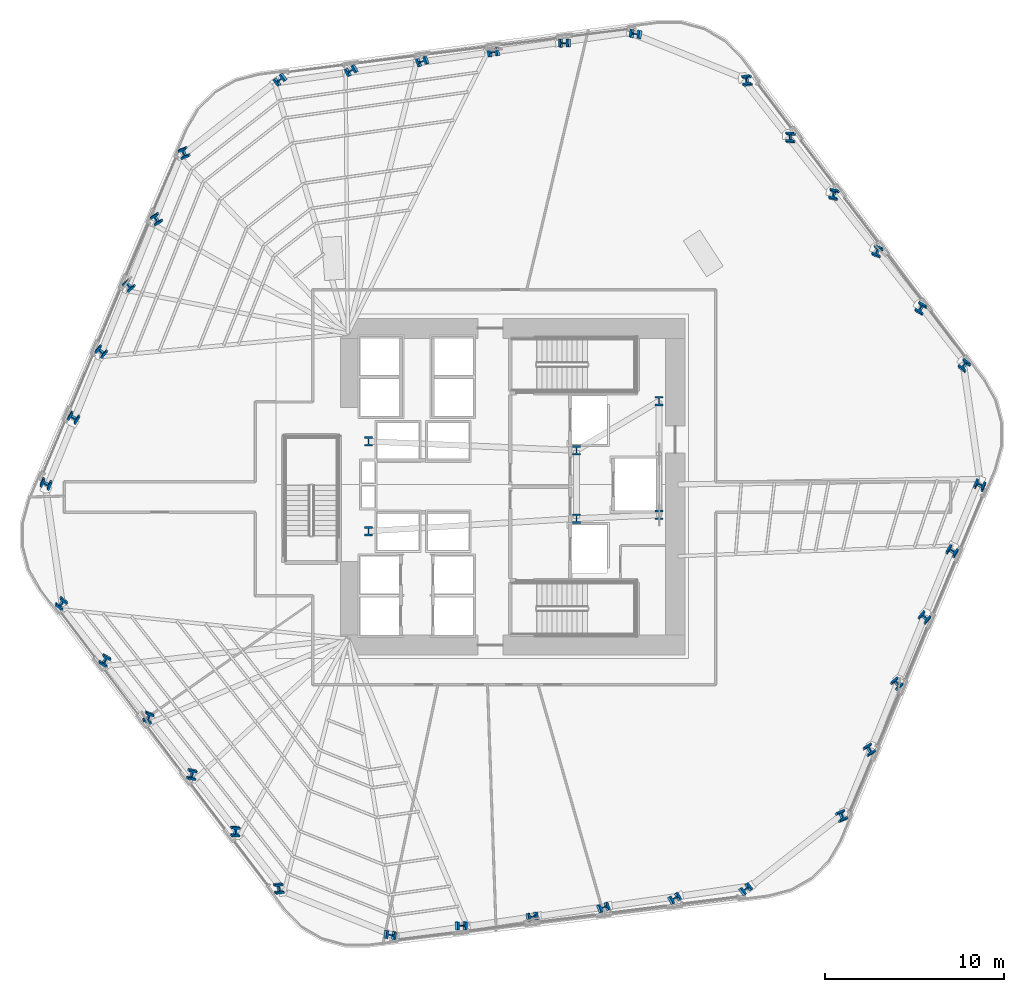
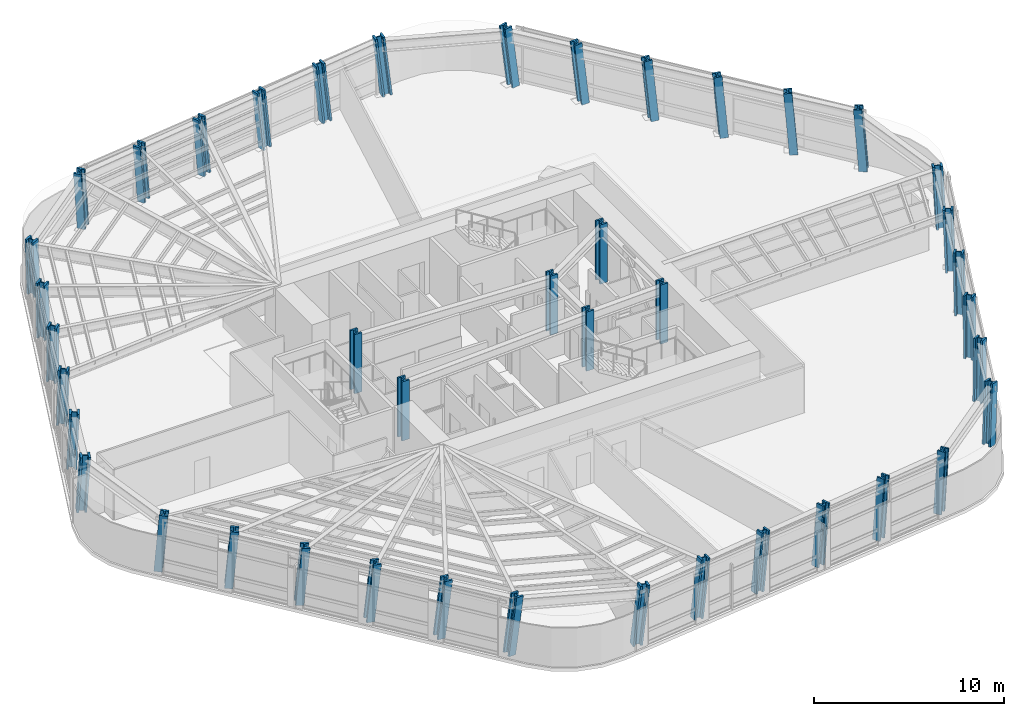
# One storey, part 1 of 16: 42 columns.
"""IFC4 building model written with IfcOpenShell, lengths in metres."""

from ifc_helpers import new_model, si_unit, direction, frame, origin, origin_2d, place, context, subcontext, project, spatial, i_section, extrude, material, material_profile, profile_set, type_object, element, save


model = new_model("IFC4")

# Units and contexts
model_context = context("Model", 3, precision=1e-05, world=origin(), true_north=direction((0.0, 1.0)))
body_context = subcontext(model_context, "Body", "Model", "MODEL_VIEW")
ifc_project = project(units=[si_unit("LENGTHUNIT", "METRE"), si_unit("AREAUNIT", "SQUARE_METRE"), si_unit("VOLUMEUNIT", "CUBIC_METRE"), si_unit("PLANEANGLEUNIT", "RADIAN"), si_unit("MASSUNIT", "GRAM", prefix="KILO")], contexts=[model_context])

# Site, building, storey
site_placement = place(None, origin())
site = spatial("IfcSite", under=ifc_project, at=site_placement, CompositionType="ELEMENT")
building_placement = place(site_placement, origin())
building = spatial("IfcBuilding", under=site, at=building_placement, Name="Valkerne Bourse Tower", CompositionType="ELEMENT")
storey_placement = place(building_placement, frame((0.0, 0.0, 54.39990234375)))
storey = spatial("IfcBuildingStorey", under=building, at=storey_placement, Name="L13", CompositionType="ELEMENT", Elevation=54.39990234375)

# Columns
ifc_material = material(Name="Steel ASTM A913 Grade 65", Category="steel")
ifc_material_profile_1 = material_profile(ifc_material, i_section(OverallWidth=0.44189453125, OverallDepth=0.531005859375, WebThickness=0.06591796875, FlangeThickness=0.105712890625, FilletRadius=0.030517578125, at=origin_2d()), Name="W14X605")
ifc_profile_set_1 = profile_set([ifc_material_profile_1], Name="Steel ASTM A913 Grade 65")
column_type_1 = type_object("IfcColumnType", Name="COL-W14X605", PredefinedType="COLUMN", material=ifc_profile_set_1)
for number, where, z_axis, x_axis, name in (
    (1, (38.75, 24.39990234375, 0.005126953125), (0.0, 0.0, 1.0), (1.0, 0.0, 0.0), "L13 Core Frame Column CC-SW"),
    (2, (38.75, 29.39990234375, 0.005126953125), (0.0, 0.0, 1.0), (1.0, 0.0, 0.0), "L13 Core Frame Column CC-NW"),
    (3, (50.35009765625, 25.10009765625, 0.005126953125), (0.0, 0.0, 1.0), (1.0, 0.0, 0.0), "L13 Core Frame Column CC-CE1"),
    (4, (50.35009765625, 28.89990234375, 0.005126953125), (0.0, 0.0, 1.0), (1.0, 0.0, 0.0), "L13 Core Frame Column CC-CE2"),
    (5, (54.949951171875, 25.300048828125, 0.005126953125), (0.0, 0.0, 1.0), (1.0, 0.0, 0.0), "L13 Core Frame Column CC-SE"),
    (6, (54.949951171875, 31.64990234375, 0.005126953125), (0.0, 0.0, 1.0), (1.0, 0.0, 0.0), "L13 Core Frame Column CC-NE"),
):
    element("IfcColumn", number, at=place(storey_placement, frame(where, z_axis=z_axis, x_axis=x_axis)), inside=storey, type_object=column_type_1, Name=name, PredefinedType="COLUMN", context=body_context, shape_type="SweptSolid", body=[
        extrude(i_section(OverallWidth=0.44189453125, OverallDepth=0.531005859375, WebThickness=0.06591796875, FlangeThickness=0.105712890625, FilletRadius=0.030517578125, at=origin_2d()), origin(), (0.0, 0.0, 1.0), 3.794921875),
    ])
ifc_material_profile_2 = material_profile(ifc_material, i_section(OverallWidth=0.44970703125, OverallDepth=0.548583984375, WebThickness=0.072021484375, FlangeThickness=0.11474609375, FilletRadius=0.030517578125, at=origin_2d()), Name="W14X665")
ifc_profile_set_2 = profile_set([ifc_material_profile_2], Name="Steel ASTM A913 Grade 65")
column_type_2 = type_object("IfcColumnType", Name="COL-W14X665", PredefinedType="COLUMN", material=ifc_profile_set_2)
column_1_placement = place(storey_placement, frame((71.982421875, 33.572509765625, 0.010009765625), z_axis=(-0.027989464711, 0.103804964308, 0.994203761434), x_axis=(0.789915783698, -0.607206232034, 0.085636712009)))
element("IfcColumn", 7, at=column_1_placement, inside=storey, type_object=column_type_2, Name="L13 Helical Perimeter Tube Column F1-C1", PredefinedType="COLUMN", context=body_context, shape_type="SweptSolid", body=[
    extrude(i_section(OverallWidth=0.44970703125, OverallDepth=0.548583984375, WebThickness=0.072021484375, FlangeThickness=0.11474609375, FilletRadius=0.030517578125, at=origin_2d()), origin(), (0.0, 0.0, 1.0), 3.802978515625),
])
column_2_placement = place(storey_placement, frame((69.56640625, 36.75537109375, 0.010009765625), z_axis=(-0.041043663257, 0.093777383967, 0.994746811989), x_axis=(0.871564440076, -0.483453266566, 0.081537511874)))
element("IfcColumn", 8, at=column_2_placement, inside=storey, type_object=column_type_2, Name="L13 Helical Perimeter Tube Column F1-C2", PredefinedType="COLUMN", context=body_context, shape_type="SweptSolid", body=[
    extrude(i_section(OverallWidth=0.44970703125, OverallDepth=0.548583984375, WebThickness=0.072021484375, FlangeThickness=0.11474609375, FilletRadius=0.030517578125, at=origin_2d()), origin(), (0.0, 0.0, 1.0), 3.801025390625),
])
for number, where, z_axis, x_axis, name in (
    (9, (67.150390625, 39.9384765625, 0.010009765625), (-0.054161785506, 0.083652010354, 0.99502203099), (0.938261745754, -0.336695671101, 0.079378344124), "L13 Helical Perimeter Tube Column F1-C3"),
    (10, (64.734375, 43.121337890625, 0.010009765625), (-0.067204402008, 0.073565048088, 0.995023493215), (0.980938410611, -0.17737181085, 0.079366714078), "L13 Helical Perimeter Tube Column F1-C4"),
):
    element("IfcColumn", number, at=place(storey_placement, frame(where, z_axis=z_axis, x_axis=x_axis)), inside=storey, type_object=column_type_2, Name=name, PredefinedType="COLUMN", context=body_context, shape_type="SweptSolid", body=[
        extrude(i_section(OverallWidth=0.44970703125, OverallDepth=0.548583984375, WebThickness=0.072021484375, FlangeThickness=0.11474609375, FilletRadius=0.030517578125, at=origin_2d()), origin(), (0.0, 0.0, 1.0), 3.7998046875),
    ])
column_3_placement = place(storey_placement, frame((62.318359375, 46.30419921875, 0.010009765625), z_axis=(-0.080288740202, 0.063524451248, 0.994745375606), x_axis=(0.996515870175, -0.017491185426, 0.08154862918)))
element("IfcColumn", 11, at=column_3_placement, inside=storey, type_object=column_type_2, Name="L13 Helical Perimeter Tube Column F1-C5", PredefinedType="COLUMN", context=body_context, shape_type="SweptSolid", body=[
    extrude(i_section(OverallWidth=0.44970703125, OverallDepth=0.548583984375, WebThickness=0.072021484375, FlangeThickness=0.11474609375, FilletRadius=0.030517578125, at=origin_2d()), origin(), (0.0, 0.0, 1.0), 3.801025390625),
])
for number, where, z_axis, x_axis, name in (
    (12, (59.90234375, 49.4873046875, 0.010009765625), (-0.093277396528, 0.05334722403, 0.994209938084), (0.987591354476, 0.131671798, 0.085591203843), "L13 Helical Perimeter Tube Column F1-C6"),
    (13, (53.69921875, 52.0947265625, 0.010009765625), (-0.103869211053, 0.027732694175, 0.994204246958), (0.135536282452, 0.990680755621, -0.01347429337), "L13 Helical Perimeter Tube Column F2-C1"),
):
    element("IfcColumn", number, at=place(storey_placement, frame(where, z_axis=z_axis, x_axis=x_axis)), inside=storey, type_object=column_type_2, Name=name, PredefinedType="COLUMN", context=body_context, shape_type="SweptSolid", body=[
        extrude(i_section(OverallWidth=0.44970703125, OverallDepth=0.548583984375, WebThickness=0.072021484375, FlangeThickness=0.11474609375, FilletRadius=0.030517578125, at=origin_2d()), origin(), (0.0, 0.0, 1.0), 3.802978515625),
    ])
column_4_placement = place(storey_placement, frame((49.734619140625, 51.593994140625, 0.010009765625), z_axis=(-0.1017420152, 0.011304668356, 0.99474658422), x_axis=(-0.014351521277, 0.999814693654, -0.012830128223)))
element("IfcColumn", 14, at=column_4_placement, inside=storey, type_object=column_type_2, Name="L13 Helical Perimeter Tube Column F2-C2", PredefinedType="COLUMN", context=body_context, shape_type="SweptSolid", body=[
    extrude(i_section(OverallWidth=0.44970703125, OverallDepth=0.548583984375, WebThickness=0.072021484375, FlangeThickness=0.11474609375, FilletRadius=0.030517578125, at=origin_2d()), origin(), (0.0, 0.0, 1.0), 3.801025390625),
])
column_5_placement = place(storey_placement, frame((45.770263671875, 51.093017578125, 0.010009765625), z_axis=(-0.099585165285, -0.005011382511, 0.995016422428), x_axis=(-0.174413698052, 0.984593156493, -0.012497124412)))
element("IfcColumn", 15, at=column_5_placement, inside=storey, type_object=column_type_2, Name="L13 Helical Perimeter Tube Column F2-C3", PredefinedType="COLUMN", context=body_context, shape_type="SweptSolid", body=[
    extrude(i_section(OverallWidth=0.44970703125, OverallDepth=0.548583984375, WebThickness=0.072021484375, FlangeThickness=0.11474609375, FilletRadius=0.030517578125, at=origin_2d()), origin(), (0.0, 0.0, 1.0), 3.800048828125),
])
column_6_placement = place(storey_placement, frame((41.8056640625, 50.59228515625, 0.010009765625), z_axis=(-0.097336964221, -0.021394857482, 0.995021494979), x_axis=(-0.334786178959, 0.942211332361, -0.012490778553)))
element("IfcColumn", 16, at=column_6_placement, inside=storey, type_object=column_type_2, Name="L13 Helical Perimeter Tube Column F2-C4", PredefinedType="COLUMN", context=body_context, shape_type="SweptSolid", body=[
    extrude(i_section(OverallWidth=0.44970703125, OverallDepth=0.548583984375, WebThickness=0.072021484375, FlangeThickness=0.11474609375, FilletRadius=0.030517578125, at=origin_2d()), origin(), (0.0, 0.0, 1.0), 3.7998046875),
])
column_7_placement = place(storey_placement, frame((37.84130859375, 50.091552734375, 0.010009765625), z_axis=(-0.095190046252, -0.037767710659, 0.994742406418), x_axis=(-0.481772003134, 0.876202598856, -0.012835215375)))
element("IfcColumn", 17, at=column_7_placement, inside=storey, type_object=column_type_2, Name="L13 Helical Perimeter Tube Column F2-C5", PredefinedType="COLUMN", context=body_context, shape_type="SweptSolid", body=[
    extrude(i_section(OverallWidth=0.44970703125, OverallDepth=0.548583984375, WebThickness=0.072021484375, FlangeThickness=0.11474609375, FilletRadius=0.030517578125, at=origin_2d()), origin(), (0.0, 0.0, 1.0), 3.801025390625),
])
for number, where, z_axis, x_axis, name in (
    (18, (33.876708984375, 49.590576171875, 0.010009765625), (-0.092891703502, -0.054117281308, 0.994204431334), (-0.607086758081, 0.794521313333, -0.013474079667), "L13 Helical Perimeter Tube Column F2-C6"),
    (19, (28.516845703125, 45.522216796875, 0.010009765625), (-0.075880232858, -0.076072822282, 0.994210800571), (-0.921622019269, -0.375235453444, -0.099051542526), "L13 Helical Perimeter Tube Column F3-C1"),
):
    element("IfcColumn", number, at=place(storey_placement, frame(where, z_axis=z_axis, x_axis=x_axis)), inside=storey, type_object=column_type_2, Name=name, PredefinedType="COLUMN", context=body_context, shape_type="SweptSolid", body=[
        extrude(i_section(OverallWidth=0.44970703125, OverallDepth=0.548583984375, WebThickness=0.072021484375, FlangeThickness=0.11474609375, FilletRadius=0.030517578125, at=origin_2d()), origin(), (0.0, 0.0, 1.0), 3.802978515625),
    ])
column_8_placement = place(storey_placement, frame((26.968505859375, 41.83837890625, 0.010009765625), z_axis=(-0.060698476284, -0.082408619124, 0.994748467941), x_axis=(-0.85585358569, -0.508539320503, -0.094352527067)))
element("IfcColumn", 20, at=column_8_placement, inside=storey, type_object=column_type_2, Name="L13 Helical Perimeter Tube Column F3-C2", PredefinedType="COLUMN", context=body_context, shape_type="SweptSolid", body=[
    extrude(i_section(OverallWidth=0.44970703125, OverallDepth=0.548583984375, WebThickness=0.072021484375, FlangeThickness=0.11474609375, FilletRadius=0.030517578125, at=origin_2d()), origin(), (0.0, 0.0, 1.0), 3.801025390625),
])
for number, where, z_axis, x_axis, name in (
    (21, (25.419921875, 38.15478515625, 0.010009765625), (-0.045423573598, -0.088791200443, 0.995013980648), (-0.762752226801, -0.640121561384, -0.091942520965), "L13 Helical Perimeter Tube Column F3-C3"),
    (22, (23.871337890625, 34.470947265625, 0.010009765625), (-0.030132617071, -0.095023754047, 0.995018849849), (-0.646654015805, -0.757227437062, -0.091897727954), "L13 Helical Perimeter Tube Column F3-C4"),
):
    element("IfcColumn", number, at=place(storey_placement, frame(where, z_axis=z_axis, x_axis=x_axis)), inside=storey, type_object=column_type_2, Name=name, PredefinedType="COLUMN", context=body_context, shape_type="SweptSolid", body=[
        extrude(i_section(OverallWidth=0.44970703125, OverallDepth=0.548583984375, WebThickness=0.072021484375, FlangeThickness=0.11474609375, FilletRadius=0.030517578125, at=origin_2d()), origin(), (0.0, 0.0, 1.0), 3.800048828125),
    ])
column_9_placement = place(storey_placement, frame((22.32275390625, 30.787109375, 0.010009765625), z_axis=(-0.014837465824, -0.101228771163, 0.99475252475), x_axis=(-0.516409600234, -0.851131943024, -0.094316172264)))
element("IfcColumn", 23, at=column_9_placement, inside=storey, type_object=column_type_2, Name="L13 Helical Perimeter Tube Column F3-C5", PredefinedType="COLUMN", context=body_context, shape_type="SweptSolid", body=[
    extrude(i_section(OverallWidth=0.44970703125, OverallDepth=0.548583984375, WebThickness=0.072021484375, FlangeThickness=0.11474609375, FilletRadius=0.030517578125, at=origin_2d()), origin(), (0.0, 0.0, 1.0), 3.801025390625),
])
for number, where, z_axis, x_axis, name in (
    (24, (20.7744140625, 27.103515625, 0.010009765625), (0.000385175425, -0.107528139373, 0.994201966847), (-0.384230071242, -0.917900385068, -0.099126865407), "L13 Helical Perimeter Tube Column F3-C6"),
    (25, (21.61767578125, 20.427490234375, 0.010009765625), (0.027989464711, -0.103804964308, 0.994203761434), (0.789915783698, -0.607206232034, -0.085636712009), "L13 Helical Perimeter Tube Column F4-C1"),
):
    element("IfcColumn", number, at=place(storey_placement, frame(where, z_axis=z_axis, x_axis=x_axis)), inside=storey, type_object=column_type_2, Name=name, PredefinedType="COLUMN", context=body_context, shape_type="SweptSolid", body=[
        extrude(i_section(OverallWidth=0.44970703125, OverallDepth=0.548583984375, WebThickness=0.072021484375, FlangeThickness=0.11474609375, FilletRadius=0.030517578125, at=origin_2d()), origin(), (0.0, 0.0, 1.0), 3.802978515625),
    ])
column_10_placement = place(storey_placement, frame((24.03369140625, 17.24462890625, 0.010009765625), z_axis=(0.041043663257, -0.093777383967, 0.994746811989), x_axis=(0.871564440076, -0.483453266566, -0.081537511874)))
element("IfcColumn", 26, at=column_10_placement, inside=storey, type_object=column_type_2, Name="L13 Helical Perimeter Tube Column F4-C2", PredefinedType="COLUMN", context=body_context, shape_type="SweptSolid", body=[
    extrude(i_section(OverallWidth=0.44970703125, OverallDepth=0.548583984375, WebThickness=0.072021484375, FlangeThickness=0.11474609375, FilletRadius=0.030517578125, at=origin_2d()), origin(), (0.0, 0.0, 1.0), 3.801025390625),
])
column_11_placement = place(storey_placement, frame((26.44970703125, 14.0615234375, 0.010009765625), z_axis=(0.054161785506, -0.083652010354, 0.99502203099), x_axis=(0.938261745754, -0.336695671101, -0.079378344124)))
element("IfcColumn", 27, at=column_11_placement, inside=storey, type_object=column_type_2, Name="L13 Helical Perimeter Tube Column F4-C3", PredefinedType="COLUMN", context=body_context, shape_type="SweptSolid", body=[
    extrude(i_section(OverallWidth=0.44970703125, OverallDepth=0.548583984375, WebThickness=0.072021484375, FlangeThickness=0.11474609375, FilletRadius=0.030517578125, at=origin_2d()), origin(), (0.0, 0.0, 1.0), 3.7998046875),
])
column_12_placement = place(storey_placement, frame((28.865478515625, 10.878662109375, 0.010009765625), z_axis=(0.067268360368, -0.073564730298, 0.995019194865), x_axis=(0.981020392667, -0.176902478109, -0.079400896788)))
element("IfcColumn", 28, at=column_12_placement, inside=storey, type_object=column_type_2, Name="L13 Helical Perimeter Tube Column F4-C4", PredefinedType="COLUMN", context=body_context, shape_type="SweptSolid", body=[
    extrude(i_section(OverallWidth=0.44970703125, OverallDepth=0.548583984375, WebThickness=0.072021484375, FlangeThickness=0.11474609375, FilletRadius=0.030517578125, at=origin_2d()), origin(), (0.0, 0.0, 1.0), 3.800048828125),
])
column_13_placement = place(storey_placement, frame((31.281494140625, 7.69580078125, 0.010009765625), z_axis=(0.080288740202, -0.063524451248, 0.994745375606), x_axis=(0.996515870175, -0.017491185426, -0.08154862918)))
element("IfcColumn", 29, at=column_13_placement, inside=storey, type_object=column_type_2, Name="L13 Helical Perimeter Tube Column F4-C5", PredefinedType="COLUMN", context=body_context, shape_type="SweptSolid", body=[
    extrude(i_section(OverallWidth=0.44970703125, OverallDepth=0.548583984375, WebThickness=0.072021484375, FlangeThickness=0.11474609375, FilletRadius=0.030517578125, at=origin_2d()), origin(), (0.0, 0.0, 1.0), 3.801025390625),
])
for number, where, z_axis, x_axis, name in (
    (30, (33.697509765625, 4.5126953125, 0.010009765625), (0.093341033824, -0.053346904475, 0.994203982685), (0.987548159235, 0.131966912028, -0.085635082303), "L13 Helical Perimeter Tube Column F4-C6"),
    (31, (39.90087890625, 1.9052734375, 0.010009765625), (0.103869211053, -0.027732694175, 0.994204246958), (0.135536282452, 0.990680755621, 0.01347429337), "L13 Helical Perimeter Tube Column F5-C1"),
):
    element("IfcColumn", number, at=place(storey_placement, frame(where, z_axis=z_axis, x_axis=x_axis)), inside=storey, type_object=column_type_2, Name=name, PredefinedType="COLUMN", context=body_context, shape_type="SweptSolid", body=[
        extrude(i_section(OverallWidth=0.44970703125, OverallDepth=0.548583984375, WebThickness=0.072021484375, FlangeThickness=0.11474609375, FilletRadius=0.030517578125, at=origin_2d()), origin(), (0.0, 0.0, 1.0), 3.802978515625),
    ])
column_14_placement = place(storey_placement, frame((43.865234375, 2.406005859375, 0.010009765625), z_axis=(0.1017420152, -0.011304668356, 0.99474658422), x_axis=(-0.014351521277, 0.999814693654, 0.012830128223)))
element("IfcColumn", 32, at=column_14_placement, inside=storey, type_object=column_type_2, Name="L13 Helical Perimeter Tube Column F5-C2", PredefinedType="COLUMN", context=body_context, shape_type="SweptSolid", body=[
    extrude(i_section(OverallWidth=0.44970703125, OverallDepth=0.548583984375, WebThickness=0.072021484375, FlangeThickness=0.11474609375, FilletRadius=0.030517578125, at=origin_2d()), origin(), (0.0, 0.0, 1.0), 3.801025390625),
])
column_15_placement = place(storey_placement, frame((47.829833984375, 2.906982421875, 0.010009765625), z_axis=(0.099521553346, 0.005011414565, 0.995022786746), x_axis=(-0.174446400379, 0.98458746398, 0.012489162007)))
element("IfcColumn", 33, at=column_15_placement, inside=storey, type_object=column_type_2, Name="L13 Helical Perimeter Tube Column F5-C3", PredefinedType="COLUMN", context=body_context, shape_type="SweptSolid", body=[
    extrude(i_section(OverallWidth=0.44970703125, OverallDepth=0.548583984375, WebThickness=0.072021484375, FlangeThickness=0.11474609375, FilletRadius=0.030517578125, at=origin_2d()), origin(), (0.0, 0.0, 1.0), 3.7998046875),
])
column_16_placement = place(storey_placement, frame((51.794189453125, 3.40771484375, 0.010009765625), z_axis=(0.097400603721, 0.021394723641, 0.995015270333), x_axis=(-0.334655096194, 0.942257795117, 0.012498565252)))
element("IfcColumn", 34, at=column_16_placement, inside=storey, type_object=column_type_2, Name="L13 Helical Perimeter Tube Column F5-C4", PredefinedType="COLUMN", context=body_context, shape_type="SweptSolid", body=[
    extrude(i_section(OverallWidth=0.44970703125, OverallDepth=0.548583984375, WebThickness=0.072021484375, FlangeThickness=0.11474609375, FilletRadius=0.030517578125, at=origin_2d()), origin(), (0.0, 0.0, 1.0), 3.800048828125),
])
column_17_placement = place(storey_placement, frame((55.7587890625, 3.908447265625, 0.010009765625), z_axis=(0.095126396873, 0.0377679415, 0.994748486409), x_axis=(-0.481975489138, 0.876090791601, 0.012827811323)))
element("IfcColumn", 35, at=column_17_placement, inside=storey, type_object=column_type_2, Name="L13 Helical Perimeter Tube Column F5-C5", PredefinedType="COLUMN", context=body_context, shape_type="SweptSolid", body=[
    extrude(i_section(OverallWidth=0.44970703125, OverallDepth=0.548583984375, WebThickness=0.072021484375, FlangeThickness=0.11474609375, FilletRadius=0.030517578125, at=origin_2d()), origin(), (0.0, 0.0, 1.0), 3.801025390625),
])
for number, where, z_axis, x_axis, name in (
    (36, (59.723388671875, 4.409423828125, 0.010009765625), (0.092828060809, 0.054117603916, 0.994210358059), (-0.60732632305, 0.794338323152, 0.013467208414), "L13 Helical Perimeter Tube Column F5-C6"),
    (37, (65.0830078125, 8.477783203125, 0.010009765625), (0.075944059235, 0.076072451558, 0.994205955515), (-0.921777442845, -0.37484256764, 0.099092862242), "L13 Helical Perimeter Tube Column F6-C1"),
):
    element("IfcColumn", number, at=place(storey_placement, frame(where, z_axis=z_axis, x_axis=x_axis)), inside=storey, type_object=column_type_2, Name=name, PredefinedType="COLUMN", context=body_context, shape_type="SweptSolid", body=[
        extrude(i_section(OverallWidth=0.44970703125, OverallDepth=0.548583984375, WebThickness=0.072021484375, FlangeThickness=0.11474609375, FilletRadius=0.030517578125, at=origin_2d()), origin(), (0.0, 0.0, 1.0), 3.802978515625),
    ])
column_18_placement = place(storey_placement, frame((66.631591796875, 12.16162109375, 0.010009765625), z_axis=(0.060698476284, 0.082408619124, 0.994748467941), x_axis=(-0.85585358569, -0.508539320503, 0.094352527067)))
element("IfcColumn", 38, at=column_18_placement, inside=storey, type_object=column_type_2, Name="L13 Helical Perimeter Tube Column F6-C2", PredefinedType="COLUMN", context=body_context, shape_type="SweptSolid", body=[
    extrude(i_section(OverallWidth=0.44970703125, OverallDepth=0.548583984375, WebThickness=0.072021484375, FlangeThickness=0.11474609375, FilletRadius=0.030517578125, at=origin_2d()), origin(), (0.0, 0.0, 1.0), 3.801025390625),
])
for number, where, z_axis, x_axis, name in (
    (39, (68.18017578125, 15.84521484375, 0.010009765625), (0.045423573598, 0.088791200443, 0.995013980648), (-0.762752226801, -0.640121561384, 0.091942520965), "L13 Helical Perimeter Tube Column F6-C3"),
    (40, (69.728759765625, 19.529052734375, 0.010009765625), (0.030132617071, 0.095023754047, 0.995018849849), (-0.646654015805, -0.757227437062, 0.091897727954), "L13 Helical Perimeter Tube Column F6-C4"),
):
    element("IfcColumn", number, at=place(storey_placement, frame(where, z_axis=z_axis, x_axis=x_axis)), inside=storey, type_object=column_type_2, Name=name, PredefinedType="COLUMN", context=body_context, shape_type="SweptSolid", body=[
        extrude(i_section(OverallWidth=0.44970703125, OverallDepth=0.548583984375, WebThickness=0.072021484375, FlangeThickness=0.11474609375, FilletRadius=0.030517578125, at=origin_2d()), origin(), (0.0, 0.0, 1.0), 3.800048828125),
    ])
column_19_placement = place(storey_placement, frame((71.277099609375, 23.212890625, 0.010009765625), z_axis=(0.014837465824, 0.101228771163, 0.99475252475), x_axis=(-0.516409600234, -0.851131943024, 0.094316172264)))
element("IfcColumn", 41, at=column_19_placement, inside=storey, type_object=column_type_2, Name="L13 Helical Perimeter Tube Column F6-C5", PredefinedType="COLUMN", context=body_context, shape_type="SweptSolid", body=[
    extrude(i_section(OverallWidth=0.44970703125, OverallDepth=0.548583984375, WebThickness=0.072021484375, FlangeThickness=0.11474609375, FilletRadius=0.030517578125, at=origin_2d()), origin(), (0.0, 0.0, 1.0), 3.801025390625),
])
column_20_placement = place(storey_placement, frame((72.82568359375, 26.896484375, 0.010009765625), z_axis=(-0.000385175425, 0.107528139373, 0.994201966847), x_axis=(-0.384230071242, -0.917900385068, 0.099126865407)))
element("IfcColumn", 42, at=column_20_placement, inside=storey, type_object=column_type_2, Name="L13 Helical Perimeter Tube Column F6-C6", PredefinedType="COLUMN", context=body_context, shape_type="SweptSolid", body=[
    extrude(i_section(OverallWidth=0.44970703125, OverallDepth=0.548583984375, WebThickness=0.072021484375, FlangeThickness=0.11474609375, FilletRadius=0.030517578125, at=origin_2d()), origin(), (0.0, 0.0, 1.0), 3.802978515625),
])

save(model, "model.ifc")
